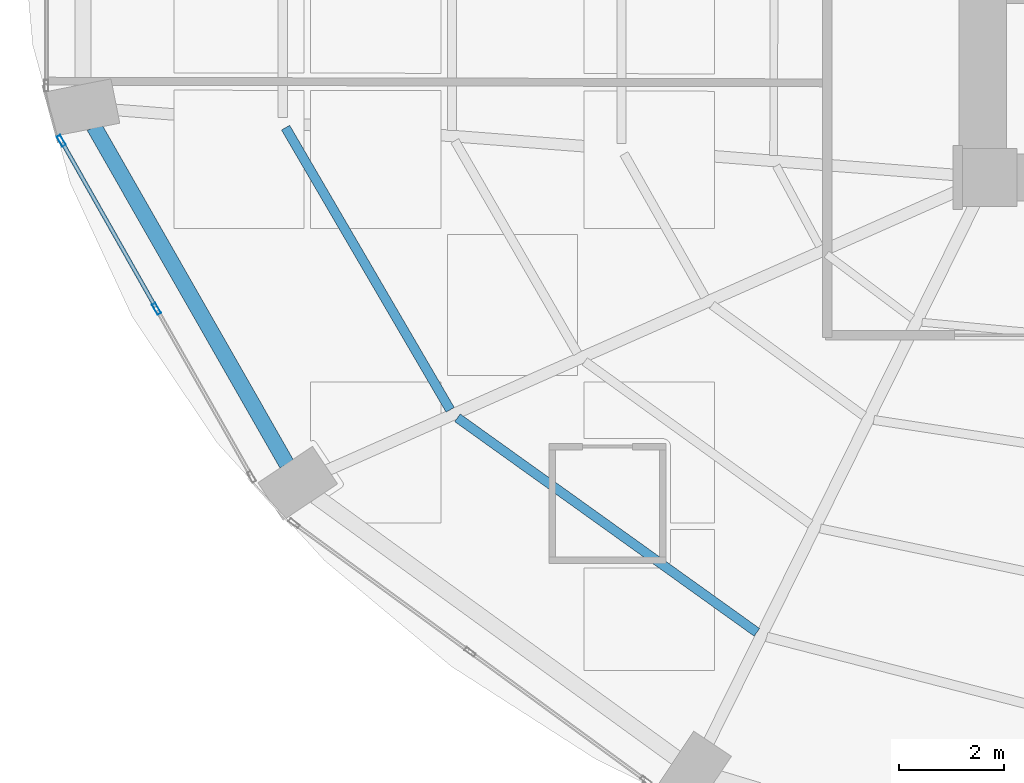
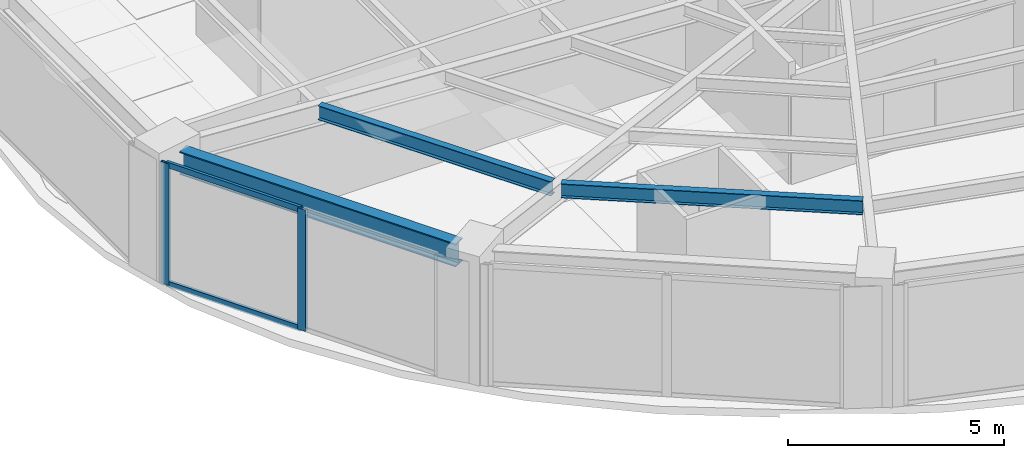
# One storey, part 3 of 25: 4 members, 3 beams, 1 element without a shape of its own.
"""IFC4 building model written with IfcOpenShell, lengths in metres."""

from ifc_helpers import new_model, si_unit, direction, frame, origin, origin_2d, place, context, subcontext, project, spatial, hollow_rectangle, i_section, extrude, material, layer, layer_set, material_profile, profile_set, type_object, element, aggregate, save


model = new_model("IFC4")

# Units and contexts
model_context = context("Model", 3, precision=1e-05, world=origin(), true_north=direction((0.0, 1.0)))
body_context = subcontext(model_context, "Body", "Model", "MODEL_VIEW")
ifc_project = project(units=[si_unit("LENGTHUNIT", "METRE"), si_unit("AREAUNIT", "SQUARE_METRE"), si_unit("VOLUMEUNIT", "CUBIC_METRE"), si_unit("PLANEANGLEUNIT", "RADIAN"), si_unit("MASSUNIT", "GRAM", prefix="KILO")], contexts=[model_context])

# Site, building, storey
site_placement = place(None, origin())
site = spatial("IfcSite", under=ifc_project, at=site_placement, CompositionType="ELEMENT")
building_placement = place(site_placement, origin())
building = spatial("IfcBuilding", under=site, at=building_placement, Name="Lazwardi Medical Tower", CompositionType="ELEMENT")
storey_placement = place(building_placement, frame((0.0, 0.0, 32.49609375)))
storey = spatial("IfcBuildingStorey", under=building, at=storey_placement, Name="L07", CompositionType="ELEMENT", Elevation=32.49609375)

# Beams
ifc_material_1 = material(Name="Steel S355", Category="steel")
ifc_material_profile_1 = material_profile(ifc_material_1, i_section(OverallWidth=0.300048828125, OverallDepth=0.64990234375, WebThickness=0.01611328125, FlangeThickness=0.031005859375, at=origin_2d()), Name="HEB 650")
ifc_profile_set_1 = profile_set([ifc_material_profile_1], Name="Steel S355")
beam_type_1 = type_object("IfcBeamType", Name="BM-RB-Z1", PredefinedType="BEAM", material=ifc_profile_set_1)
beam_1_placement = place(storey_placement, frame((9.408203125, 21.36767578125, 3.10302734375), z_axis=(0.49581512241, -0.868428099724, 0.0), x_axis=(0.868428099724, 0.49581512241, 0.0)))
element("IfcBeam", 1, at=beam_1_placement, inside=storey, type_object=beam_type_1, Name="Ring beam RB-02 B13 L07", PredefinedType="BEAM", context=body_context, shape_type="SweptSolid", body=[
    extrude(i_section(OverallWidth=0.300048828125, OverallDepth=0.64990234375, WebThickness=0.01611328125, FlangeThickness=0.031005859375, at=origin_2d()), origin(), (0.0, 0.0, 1.0), 7.389404296875),
])
ifc_material_profile_2 = material_profile(ifc_material_1, i_section(OverallWidth=0.179931640625, OverallDepth=0.39990234375, WebThickness=0.008544921875, FlangeThickness=0.013427734375, at=origin_2d()), Name="IPE 400")
ifc_profile_set_2 = profile_set([ifc_material_profile_2], Name="Steel S355")
beam_type_2 = type_object("IfcBeamType", Name="BM-SJ-01", PredefinedType="JOIST", material=ifc_profile_set_2)
beam_2_placement = place(storey_placement, frame((13.048828125, 21.34765625, 3.22802734375), z_axis=(0.503846579557, -0.863793160582, 0.0), x_axis=(0.863793160582, 0.503846579557, 0.0)))
element("IfcBeam", 2, at=beam_2_placement, inside=storey, type_object=beam_type_2, Name="Secondary joist SJ-01 R1 B13 L07", PredefinedType="JOIST", context=body_context, shape_type="SweptSolid", body=[
    extrude(i_section(OverallWidth=0.179931640625, OverallDepth=0.39990234375, WebThickness=0.008544921875, FlangeThickness=0.013427734375, at=origin_2d()), origin(), (0.0, 0.0, 1.0), 6.20947265625),
])
beam_3_placement = place(storey_placement, frame((16.31591796875, 15.83203125, 3.22802734375), z_axis=(0.812901036873, -0.582401840872, 0.0), x_axis=(0.582401840872, 0.812901036873, 0.0)))
element("IfcBeam", 3, at=beam_3_placement, inside=storey, type_object=beam_type_2, Name="Secondary joist SJ-01 R1 B14 L07", PredefinedType="JOIST", context=body_context, shape_type="SweptSolid", body=[
    extrude(i_section(OverallWidth=0.179931640625, OverallDepth=0.39990234375, WebThickness=0.008544921875, FlangeThickness=0.013427734375, at=origin_2d()), origin(), (0.0, 0.0, 1.0), 7.002197265625),
])

# Curtain wall, members
ifc_material_2 = material(Name="Anodised bronze aluminium and solar control glazing", Category="aluminium")
ifc_layer = layer(ifc_material_2, 0.199951171875)
ifc_layer_set = layer_set([ifc_layer], Name="Anodised bronze aluminium and solar control glazing")
curtain_wall_type = type_object("IfcCurtainWallType", Name="CW-SYS-02", PredefinedType="NOTDEFINED", material=ifc_layer_set)
curtain_wall_placement = place(storey_placement, origin())
curtain_wall = element("IfcCurtainWall", 4, at=curtain_wall_placement, inside=storey, type_object=curtain_wall_type, Name="L07 Unitised bronze curtain wall CW-02", PredefinedType="NOTDEFINED")
ifc_material_3 = material(Name="Anodised bronze aluminium", Category="aluminium")
ifc_material_profile_3 = material_profile(ifc_material_3, hollow_rectangle(XDim=0.074951171875, YDim=0.219970703125, WallThickness=0.00390625, at=origin_2d()), Name="ALU-MULLION 220x75x4")
ifc_profile_set_3 = profile_set([ifc_material_profile_3], Name="Anodised bronze aluminium")
member_type_1 = type_object("IfcMemberType", Name="CW-MUL-01", PredefinedType="MULLION", material=ifc_profile_set_3)
member_1_placement = place(storey_placement, frame((8.785888671875, 21.09765625, 0.0), z_axis=(0.0, 0.0, 1.0), x_axis=(0.870111838823, 0.492854327303, 0.0)))
member_1 = element("IfcMember", 5, at=member_1_placement, type_object=member_type_1, Name="CW-02 mullion 1", PredefinedType="MULLION", context=body_context, shape_type="SweptSolid", body=[
    extrude(hollow_rectangle(XDim=0.074951171875, YDim=0.219970703125, WallThickness=0.00390625, at=origin_2d()), origin(), (0.0, 0.0, 1.0), 3.427978515625),
])
member_2_placement = place(storey_placement, frame((10.5947265625, 17.904541015625, 0.0), z_axis=(0.0, 0.0, 1.0), x_axis=(0.870111838823, 0.492854327303, 0.0)))
member_2 = element("IfcMember", 6, at=member_2_placement, type_object=member_type_1, Name="CW-02 mullion 2", PredefinedType="MULLION", context=body_context, shape_type="SweptSolid", body=[
    extrude(hollow_rectangle(XDim=0.074951171875, YDim=0.219970703125, WallThickness=0.00390625, at=origin_2d()), origin(), (0.0, 0.0, 1.0), 3.427978515625),
])
ifc_material_profile_4 = material_profile(ifc_material_3, hollow_rectangle(XDim=0.074951171875, YDim=0.159912109375, WallThickness=0.00390625, at=origin_2d()), Name="ALU-TRANSOM 160x75x4")
ifc_profile_set_4 = profile_set([ifc_material_profile_4], Name="Anodised bronze aluminium")
member_type_2 = type_object("IfcMemberType", Name="CW-TRN-01", PredefinedType="USERDEFINED", material=ifc_profile_set_4)
member_3_placement = place(storey_placement, frame((8.804443359375, 21.06494140625, 0.037353515625), z_axis=(0.492880614687, -0.870096948429, 0.0), x_axis=(0.870096948429, 0.492880614687, 0.0)))
member_3 = element("IfcMember", 7, at=member_3_placement, type_object=member_type_2, Name="CW-02 transom 1.1", ObjectType="TRANSOM", PredefinedType="USERDEFINED", context=body_context, shape_type="SweptSolid", body=[
    extrude(hollow_rectangle(XDim=0.074951171875, YDim=0.159912109375, WallThickness=0.00390625, at=origin_2d()), origin(), (0.0, 0.0, 1.0), 3.5947265625),
])
member_4_placement = place(storey_placement, frame((8.804443359375, 21.06494140625, 3.390380859375), z_axis=(0.492880614687, -0.870096948429, 0.0), x_axis=(0.870096948429, 0.492880614687, 0.0)))
member_4 = element("IfcMember", 8, at=member_4_placement, type_object=member_type_2, Name="CW-02 transom 1.2", ObjectType="TRANSOM", PredefinedType="USERDEFINED", context=body_context, shape_type="SweptSolid", body=[
    extrude(hollow_rectangle(XDim=0.074951171875, YDim=0.159912109375, WallThickness=0.00390625, at=origin_2d()), origin(), (0.0, 0.0, 1.0), 3.5947265625),
])
aggregate(curtain_wall, [member_1, member_2, member_3, member_4])

save(model, "model.ifc")
